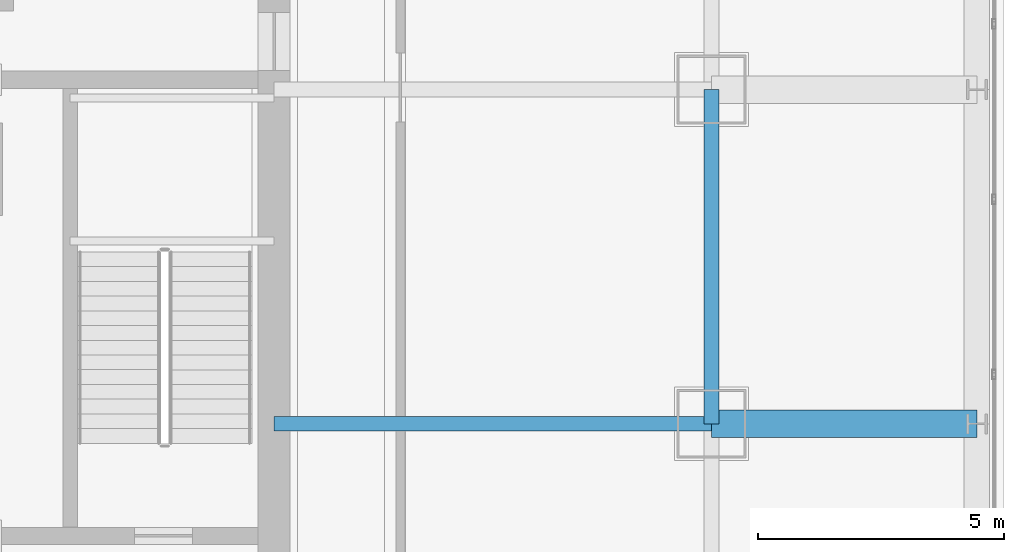
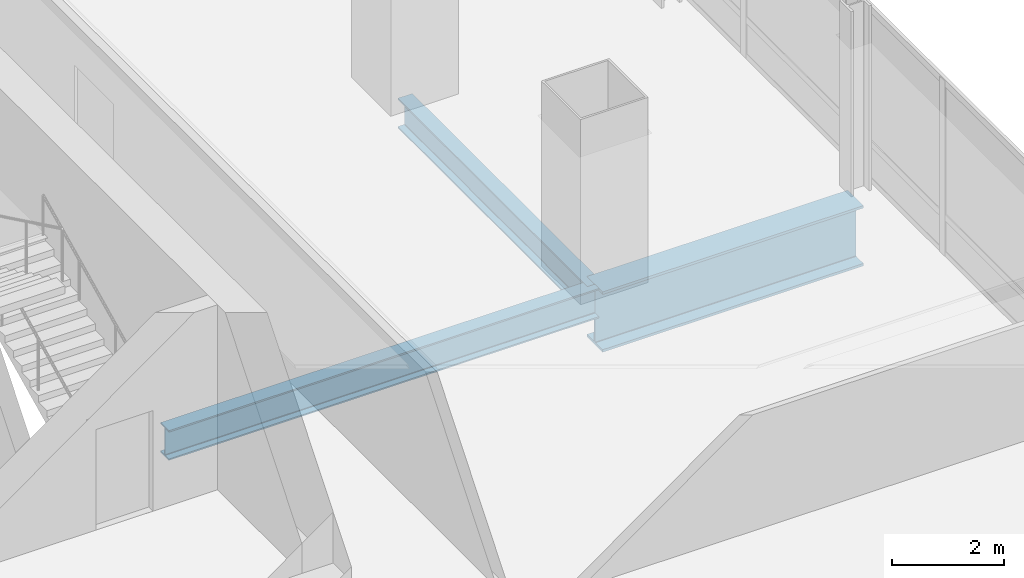
# One storey, part 16 of 36: 3 beams.
"""IFC4 building model written with IfcOpenShell, lengths in metres."""

from ifc_helpers import new_model, si_unit, direction, frame, origin, origin_2d, place, context, subcontext, project, spatial, i_section, extrude, material, material_profile, profile_set, type_object, element, save


model = new_model("IFC4")

# Units and contexts
model_context = context("Model", 3, precision=1e-05, world=origin(), true_north=direction((0.0, 1.0)))
body_context = subcontext(model_context, "Body", "Model", "MODEL_VIEW")
ifc_project = project(units=[si_unit("LENGTHUNIT", "METRE"), si_unit("AREAUNIT", "SQUARE_METRE"), si_unit("VOLUMEUNIT", "CUBIC_METRE"), si_unit("PLANEANGLEUNIT", "RADIAN"), si_unit("MASSUNIT", "GRAM", prefix="KILO")], contexts=[model_context])

# Site, building, storey
site_placement = place(None, origin())
site = spatial("IfcSite", under=ifc_project, at=site_placement, CompositionType="ELEMENT")
building_placement = place(site_placement, origin())
building = spatial("IfcBuilding", under=site, at=building_placement, Name="Punatoya Terracotta Tower", CompositionType="ELEMENT")
storey_placement = place(building_placement, frame((0.0, 0.0, 212.699951171875)))
storey = spatial("IfcBuildingStorey", under=building, at=storey_placement, Name="L50", CompositionType="ELEMENT", Elevation=212.699951171875)

# Beams
ifc_material_1 = material(Name="Steel S355", Category="steel")
ifc_material_profile_1 = material_profile(ifc_material_1, i_section(OverallWidth=0.300048828125, OverallDepth=0.64990234375, WebThickness=0.01611328125, FlangeThickness=0.031005859375, FilletRadius=0.01806640625, at=origin_2d()))
ifc_profile_set_1 = profile_set([ifc_material_profile_1], Name="Steel S355")
beam_type_1 = type_object("IfcBeamType", Name="BM-PRI-650", PredefinedType="BEAM", material=ifc_profile_set_1)
beam_1_placement = place(storey_placement, frame((19.10009765625, -3.39990234375, -0.544921875), z_axis=(0.0, 1.0, 0.0), x_axis=(-1.0, 0.0, 0.0)))
element("IfcBeam", 1, at=beam_1_placement, inside=storey, type_object=beam_type_1, Name="BM-L50-RG-E2", PredefinedType="BEAM", context=body_context, shape_type="SweptSolid", body=[
    extrude(i_section(OverallWidth=0.300048828125, OverallDepth=0.64990234375, WebThickness=0.01611328125, FlangeThickness=0.031005859375, FilletRadius=0.01806640625, at=origin_2d()), origin(), (0.0, 0.0, 1.0), 6.7998046875),
])
beam_2_placement = place(storey_placement, frame((10.199951171875, -3.39990234375, -0.544921875), z_axis=(1.0, 0.0, 0.0), x_axis=(0.0, 1.0, 0.0)))
element("IfcBeam", 2, at=beam_2_placement, inside=storey, type_object=beam_type_1, Name="BM-L50-PR-ED", PredefinedType="BEAM", context=body_context, shape_type="SweptSolid", body=[
    extrude(i_section(OverallWidth=0.300048828125, OverallDepth=0.64990234375, WebThickness=0.01611328125, FlangeThickness=0.031005859375, FilletRadius=0.01806640625, at=origin_2d()), origin(), (0.0, 0.0, 1.0), 8.900146484375),
])
ifc_material_2 = material(Name="Steel S460", Category="steel")
ifc_material_profile_2 = material_profile(ifc_material_2, i_section(OverallWidth=0.56005859375, OverallDepth=1.320068359375, WebThickness=0.035888671875, FlangeThickness=0.054931640625, FilletRadius=0.01806640625, at=origin_2d()))
ifc_profile_set_2 = profile_set([ifc_material_profile_2], Name="Steel S460")
beam_type_2 = type_object("IfcBeamType", Name="BM-TG-BLK", PredefinedType="BEAM", material=ifc_profile_set_2)
beam_3_placement = place(storey_placement, frame((19.10009765625, -3.39990234375, -0.8798828125), z_axis=(1.0, 0.0, 0.0), x_axis=(0.0, 1.0, 0.0)))
element("IfcBeam", 3, at=beam_3_placement, inside=storey, type_object=beam_type_2, Name="BM-L50-CANT-E2", PredefinedType="BEAM", context=body_context, shape_type="SweptSolid", body=[
    extrude(i_section(OverallWidth=0.56005859375, OverallDepth=1.320068359375, WebThickness=0.035888671875, FlangeThickness=0.054931640625, FilletRadius=0.01806640625, at=origin_2d()), origin(), (0.0, 0.0, 1.0), 5.39990234375),
])

save(model, "model.ifc")
